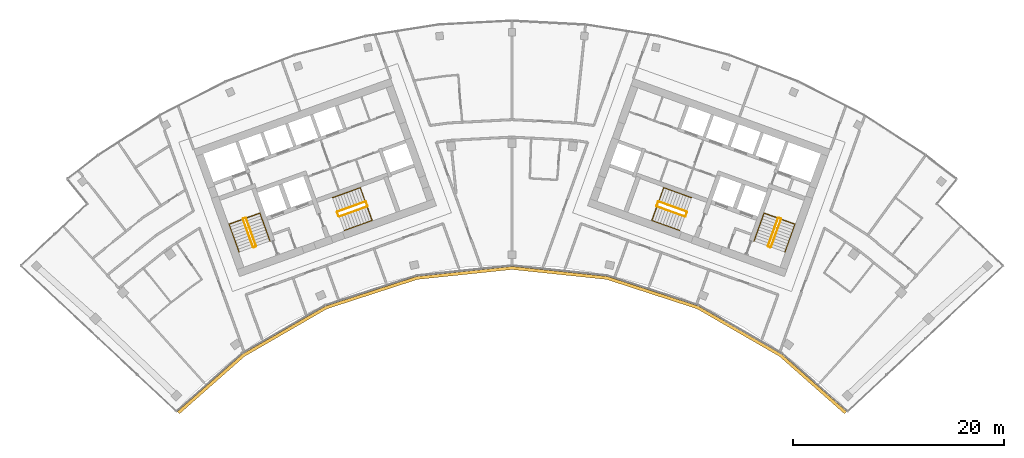
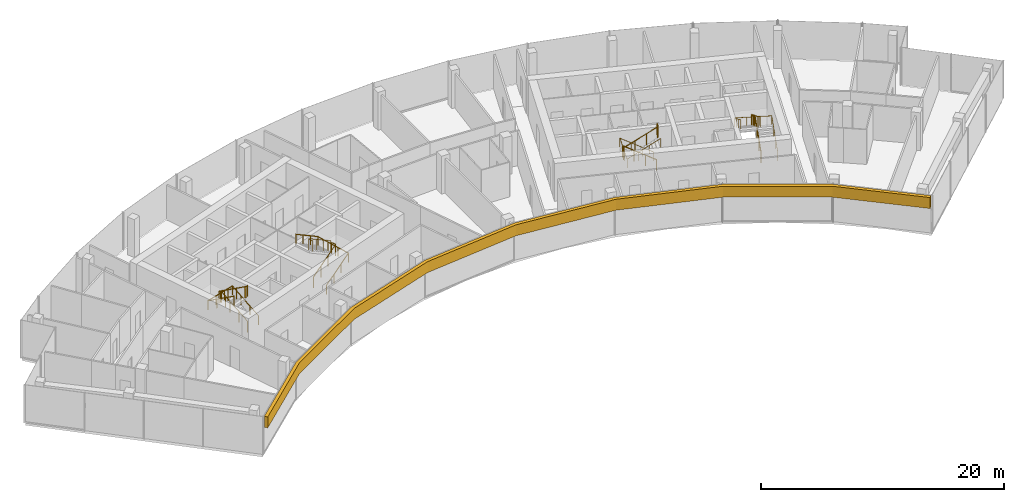
# One storey, part 18 of 18: 12 railings, 1 covering.
"""IFC4 building model written with IfcOpenShell, lengths in metres."""

from ifc_helpers import new_model, si_unit, direction, frame, origin, origin_2d, place, context, subcontext, project, spatial, polyline, circle, outline, extrude, material, layer, layer_set, type_object, element, save


model = new_model("IFC4")

# Units and contexts
model_context = context("Model", 3, precision=1e-05, world=origin(), true_north=direction((0.0, 1.0)))
body_context = subcontext(model_context, "Body", "Model", "MODEL_VIEW")
ifc_project = project(units=[si_unit("LENGTHUNIT", "METRE"), si_unit("AREAUNIT", "SQUARE_METRE"), si_unit("VOLUMEUNIT", "CUBIC_METRE"), si_unit("PLANEANGLEUNIT", "RADIAN"), si_unit("MASSUNIT", "GRAM", prefix="KILO")], contexts=[model_context])

# Site, building, storey
site_placement = place(None, origin())
site = spatial("IfcSite", under=ifc_project, at=site_placement, CompositionType="ELEMENT")
building_placement = place(site_placement, origin())
building = spatial("IfcBuilding", under=site, at=building_placement, Name="Stone Belt Terrace Tower", CompositionType="ELEMENT")
storey_placement = place(building_placement, frame((0.0, 0.0, 296.0)))
storey = spatial("IfcBuildingStorey", under=building, at=storey_placement, Name="L72", CompositionType="ELEMENT", Elevation=296.0)

# Railings
ifc_material_1 = material(Name="Structural steel C345", Category="steel")
railing_type_1 = type_object("IfcRailingType", Name="Stair guard 1100", PredefinedType="GUARDRAIL", material=ifc_material_1)
railing_1_placement = place(storey_placement, frame((-24.2119140625, 45.276123046875, 0.172607421875)))
element("IfcRailing", 1, at=railing_1_placement, inside=storey, type_object=railing_type_1, Name="L72 ST1A stair guard 1", PredefinedType="GUARDRAIL", context=body_context, shape_type="SweptSolid", body=[
    extrude(circle(Radius=0.02392578125, at=origin_2d()), frame((0.0, 0.0, 1.076171875), z_axis=(-0.288228637646, 0.800791768495, 0.525030280985), x_axis=(-0.940908529223, -0.338660803216, 0.0)), (0.0, 0.0, 1.0), 3.289794921875),
    extrude(circle(Radius=0.02392578125, at=origin_2d()), frame((-0.9482421875, 2.634521484375, 2.80322265625), z_axis=(-0.905209821074, 0.424964916, 0.0), x_axis=(-0.424964916, -0.905209821074, 0.0)), (0.0, 0.0, 1.0), 0.070556640625),
    extrude(circle(Radius=0.02392578125, at=origin_2d()), frame((-1.01220703125, 2.66455078125, 2.80322265625), z_axis=(-0.941105063269, -0.338114270461, 0.0), x_axis=(0.338114270461, -0.941105063269, 0.0)), (0.0, 0.0, 1.0), 0.199951171875),
    extrude(circle(Radius=0.02099609375, at=origin_2d()), origin(), (0.0, 0.0, 1.0), 1.052001953125),
    extrude(circle(Radius=0.02099609375, at=origin_2d()), frame((-0.316162109375, 0.878173828125, 0.57568359375)), (0.0, 0.0, 1.0), 1.052001953125),
    extrude(circle(Radius=0.02099609375, at=origin_2d()), frame((-0.632080078125, 1.75634765625, 1.151611328125)), (0.0, 0.0, 1.0), 1.052001953125),
    extrude(circle(Radius=0.02099609375, at=origin_2d()), frame((-0.9482421875, 2.634521484375, 1.727294921875)), (0.0, 0.0, 1.0), 1.052001953125),
    extrude(circle(Radius=0.02099609375, at=origin_2d()), frame((-1.01220703125, 2.66455078125, 1.727294921875)), (0.0, 0.0, 1.0), 1.052001953125),
    extrude(circle(Radius=0.02099609375, at=origin_2d()), frame((-1.200439453125, 2.596923828125, 1.727294921875)), (0.0, 0.0, 1.0), 1.052001953125),
])
railing_2_placement = place(storey_placement, frame((-25.4423828125, 47.80908203125, 2.07275390625)))
element("IfcRailing", 2, at=railing_2_placement, inside=storey, type_object=railing_type_1, Name="L72 ST1A stair guard 2", PredefinedType="GUARDRAIL", context=body_context, shape_type="SweptSolid", body=[
    extrude(circle(Radius=0.02392578125, at=origin_2d()), frame((0.0, 0.0, 1.076171875), z_axis=(0.288228637646, -0.800791768495, 0.525030280985), x_axis=(0.940908529223, 0.338660803216, 0.0)), (0.0, 0.0, 1.0), 3.289794921875),
    extrude(circle(Radius=0.02392578125, at=origin_2d()), frame((0.9482421875, -2.634521484375, 2.80322265625), z_axis=(0.903878284585, -0.427789722475, 0.0), x_axis=(0.427789722475, 0.903878284585, 0.0)), (0.0, 0.0, 1.0), 0.07080078125),
    extrude(circle(Radius=0.02392578125, at=origin_2d()), frame((1.01220703125, -2.664794921875, 2.80322265625), z_axis=(0.940575576748, 0.339584429008, 0.0), x_axis=(-0.339584429008, 0.940575576748, 0.0)), (0.0, 0.0, 1.0), 0.199951171875),
    extrude(circle(Radius=0.02099609375, at=origin_2d()), origin(), (0.0, 0.0, 1.0), 1.052001953125),
    extrude(circle(Radius=0.02099609375, at=origin_2d()), frame((0.316162109375, -0.878173828125, 0.57568359375)), (0.0, 0.0, 1.0), 1.052001953125),
    extrude(circle(Radius=0.02099609375, at=origin_2d()), frame((0.632080078125, -1.75634765625, 1.151611328125)), (0.0, 0.0, 1.0), 1.052001953125),
    extrude(circle(Radius=0.02099609375, at=origin_2d()), frame((0.9482421875, -2.634521484375, 1.727294921875)), (0.0, 0.0, 1.0), 1.052001953125),
    extrude(circle(Radius=0.02099609375, at=origin_2d()), frame((1.01220703125, -2.664794921875, 1.727294921875)), (0.0, 0.0, 1.0), 1.052001953125),
    extrude(circle(Radius=0.02099609375, at=origin_2d()), frame((1.2001953125, -2.596923828125, 1.727294921875)), (0.0, 0.0, 1.0), 1.052001953125),
])
railing_3_placement = place(storey_placement, frame((-16.33837890625, 48.056640625, 0.172607421875)))
element("IfcRailing", 3, at=railing_3_placement, inside=storey, type_object=railing_type_1, Name="L72 ST2A stair guard 1", PredefinedType="GUARDRAIL", context=body_context, shape_type="SweptSolid", body=[
    extrude(circle(Radius=0.02392578125, at=origin_2d()), frame((0.0, 0.0, 1.076171875), z_axis=(0.800808895155, 0.288160591223, 0.52504150989), x_axis=(-0.338583606334, 0.940936311087, 0.0)), (0.0, 0.0, 1.0), 3.289794921875),
    extrude(circle(Radius=0.02392578125, at=origin_2d()), frame((2.634521484375, 0.947998046875, 2.80322265625), z_axis=(0.427789722475, 0.903878284585, 0.0), x_axis=(-0.903878284585, 0.427789722475, 0.0)), (0.0, 0.0, 1.0), 0.07080078125),
    extrude(circle(Radius=0.02392578125, at=origin_2d()), frame((2.664794921875, 1.011962890625, 2.80322265625), z_axis=(-0.338654645739, 0.940910745459, 0.0), x_axis=(-0.940910745459, -0.338654645739, 0.0)), (0.0, 0.0, 1.0), 0.400146484375),
    extrude(circle(Radius=0.02099609375, at=origin_2d()), origin(), (0.0, 0.0, 1.0), 1.052001953125),
    extrude(circle(Radius=0.02099609375, at=origin_2d()), frame((0.878173828125, 0.31591796875, 0.57568359375)), (0.0, 0.0, 1.0), 1.052001953125),
    extrude(circle(Radius=0.02099609375, at=origin_2d()), frame((1.75634765625, 0.632080078125, 1.151611328125)), (0.0, 0.0, 1.0), 1.052001953125),
    extrude(circle(Radius=0.02099609375, at=origin_2d()), frame((2.634521484375, 0.947998046875, 1.727294921875)), (0.0, 0.0, 1.0), 1.052001953125),
    extrude(circle(Radius=0.02099609375, at=origin_2d()), frame((2.664794921875, 1.011962890625, 1.727294921875)), (0.0, 0.0, 1.0), 1.052001953125),
    extrude(circle(Radius=0.02099609375, at=origin_2d()), frame((2.529296875, 1.388427734375, 1.727294921875)), (0.0, 0.0, 1.0), 1.052001953125),
])
railing_4_placement = place(storey_placement, frame((-13.873046875, 49.47509765625, 2.07275390625)))
element("IfcRailing", 4, at=railing_4_placement, inside=storey, type_object=railing_type_1, Name="L72 ST2A stair guard 2", PredefinedType="GUARDRAIL", context=body_context, shape_type="SweptSolid", body=[
    extrude(circle(Radius=0.02392578125, at=origin_2d()), frame((0.0, 0.0, 1.076171875), z_axis=(-0.800808895155, -0.288160591223, 0.52504150989), x_axis=(0.338583606334, -0.940936311087, 0.0)), (0.0, 0.0, 1.0), 3.289794921875),
    extrude(circle(Radius=0.02392578125, at=origin_2d()), frame((-2.634521484375, -0.947998046875, 2.80322265625), z_axis=(-0.427789722475, -0.903878284585, 0.0), x_axis=(0.903878284585, -0.427789722475, 0.0)), (0.0, 0.0, 1.0), 0.07080078125),
    extrude(circle(Radius=0.02392578125, at=origin_2d()), frame((-2.664794921875, -1.011962890625, 2.80322265625), z_axis=(0.338654645739, -0.940910745459, 0.0), x_axis=(0.940910745459, 0.338654645739, 0.0)), (0.0, 0.0, 1.0), 0.400146484375),
    extrude(circle(Radius=0.02099609375, at=origin_2d()), origin(), (0.0, 0.0, 1.0), 1.052001953125),
    extrude(circle(Radius=0.02099609375, at=origin_2d()), frame((-0.878173828125, -0.31591796875, 0.57568359375)), (0.0, 0.0, 1.0), 1.052001953125),
    extrude(circle(Radius=0.02099609375, at=origin_2d()), frame((-1.75634765625, -0.632080078125, 1.151611328125)), (0.0, 0.0, 1.0), 1.052001953125),
    extrude(circle(Radius=0.02099609375, at=origin_2d()), frame((-2.634521484375, -0.947998046875, 1.727294921875)), (0.0, 0.0, 1.0), 1.052001953125),
    extrude(circle(Radius=0.02099609375, at=origin_2d()), frame((-2.664794921875, -1.011962890625, 1.727294921875)), (0.0, 0.0, 1.0), 1.052001953125),
    extrude(circle(Radius=0.02099609375, at=origin_2d()), frame((-2.529296875, -1.388427734375, 1.727294921875)), (0.0, 0.0, 1.0), 1.052001953125),
])
railing_5_placement = place(storey_placement, frame((24.494140625, 45.174560546875, 0.172607421875)))
element("IfcRailing", 5, at=railing_5_placement, inside=storey, type_object=railing_type_1, Name="L72 ST1B stair guard 1", PredefinedType="GUARDRAIL", context=body_context, shape_type="SweptSolid", body=[
    extrude(circle(Radius=0.02392578125, at=origin_2d()), frame((0.0, 0.0, 1.076171875), z_axis=(0.288228637646, 0.800791768495, 0.525030280985), x_axis=(-0.940908529223, 0.338660803216, 0.0)), (0.0, 0.0, 1.0), 3.289794921875),
    extrude(circle(Radius=0.02392578125, at=origin_2d()), frame((0.9482421875, 2.634521484375, 2.80322265625), z_axis=(-0.424964916, 0.905209821074, 0.0), x_axis=(-0.905209821074, -0.424964916, 0.0)), (0.0, 0.0, 1.0), 0.070556640625),
    extrude(circle(Radius=0.02392578125, at=origin_2d()), frame((0.918212890625, 2.698486328125, 2.80322265625), z_axis=(-0.941105063269, 0.338114270461, 0.0), x_axis=(-0.338114270461, -0.941105063269, 0.0)), (0.0, 0.0, 1.0), 0.199951171875),
    extrude(circle(Radius=0.02099609375, at=origin_2d()), origin(), (0.0, 0.0, 1.0), 1.052001953125),
    extrude(circle(Radius=0.02099609375, at=origin_2d()), frame((0.316162109375, 0.878173828125, 0.57568359375)), (0.0, 0.0, 1.0), 1.052001953125),
    extrude(circle(Radius=0.02099609375, at=origin_2d()), frame((0.632080078125, 1.75634765625, 1.151611328125)), (0.0, 0.0, 1.0), 1.052001953125),
    extrude(circle(Radius=0.02099609375, at=origin_2d()), frame((0.9482421875, 2.634521484375, 1.727294921875)), (0.0, 0.0, 1.0), 1.052001953125),
    extrude(circle(Radius=0.02099609375, at=origin_2d()), frame((0.918212890625, 2.698486328125, 1.727294921875)), (0.0, 0.0, 1.0), 1.052001953125),
    extrude(circle(Radius=0.02099609375, at=origin_2d()), frame((0.72998046875, 2.76611328125, 1.727294921875)), (0.0, 0.0, 1.0), 1.052001953125),
])
railing_6_placement = place(storey_placement, frame((25.16015625, 47.91064453125, 2.07275390625)))
element("IfcRailing", 6, at=railing_6_placement, inside=storey, type_object=railing_type_1, Name="L72 ST1B stair guard 2", PredefinedType="GUARDRAIL", context=body_context, shape_type="SweptSolid", body=[
    extrude(circle(Radius=0.02392578125, at=origin_2d()), frame((0.0, 0.0, 1.076171875), z_axis=(-0.288228637646, -0.800791768495, 0.525030280985), x_axis=(0.940908529223, -0.338660803216, 0.0)), (0.0, 0.0, 1.0), 3.289794921875),
    extrude(circle(Radius=0.02392578125, at=origin_2d()), frame((-0.9482421875, -2.634521484375, 2.80322265625), z_axis=(0.427789722475, -0.903878284585, 0.0), x_axis=(0.903878284585, 0.427789722475, 0.0)), (0.0, 0.0, 1.0), 0.07080078125),
    extrude(circle(Radius=0.02392578125, at=origin_2d()), frame((-0.91796875, -2.698486328125, 2.80322265625), z_axis=(0.940575576748, -0.339584429008, 0.0), x_axis=(0.339584429008, 0.940575576748, 0.0)), (0.0, 0.0, 1.0), 0.199951171875),
    extrude(circle(Radius=0.02099609375, at=origin_2d()), origin(), (0.0, 0.0, 1.0), 1.052001953125),
    extrude(circle(Radius=0.02099609375, at=origin_2d()), frame((-0.316162109375, -0.878173828125, 0.57568359375)), (0.0, 0.0, 1.0), 1.052001953125),
    extrude(circle(Radius=0.02099609375, at=origin_2d()), frame((-0.632080078125, -1.75634765625, 1.151611328125)), (0.0, 0.0, 1.0), 1.052001953125),
    extrude(circle(Radius=0.02099609375, at=origin_2d()), frame((-0.9482421875, -2.634521484375, 1.727294921875)), (0.0, 0.0, 1.0), 1.052001953125),
    extrude(circle(Radius=0.02099609375, at=origin_2d()), frame((-0.91796875, -2.698486328125, 1.727294921875)), (0.0, 0.0, 1.0), 1.052001953125),
    extrude(circle(Radius=0.02099609375, at=origin_2d()), frame((-0.72998046875, -2.766357421875, 1.727294921875)), (0.0, 0.0, 1.0), 1.052001953125),
])
railing_7_placement = place(storey_placement, frame((16.507568359375, 48.527099609375, 0.172607421875)))
element("IfcRailing", 7, at=railing_7_placement, inside=storey, type_object=railing_type_1, Name="L72 ST2B stair guard 1", PredefinedType="GUARDRAIL", context=body_context, shape_type="SweptSolid", body=[
    extrude(circle(Radius=0.02392578125, at=origin_2d()), frame((0.0, 0.0, 1.076171875), z_axis=(-0.800808895155, 0.288160591223, 0.52504150989), x_axis=(-0.338583606334, -0.940936311087, 0.0)), (0.0, 0.0, 1.0), 3.289794921875),
    extrude(circle(Radius=0.02392578125, at=origin_2d()), frame((-2.634521484375, 0.947998046875, 2.80322265625), z_axis=(-0.905209821074, -0.424964916, 0.0), x_axis=(0.424964916, -0.905209821074, 0.0)), (0.0, 0.0, 1.0), 0.070556640625),
    extrude(circle(Radius=0.02392578125, at=origin_2d()), frame((-2.698486328125, 0.91796875, 2.80322265625), z_axis=(-0.338654645739, -0.940910745459, 0.0), x_axis=(0.940910745459, -0.338654645739, 0.0)), (0.0, 0.0, 1.0), 0.400146484375),
    extrude(circle(Radius=0.02099609375, at=origin_2d()), origin(), (0.0, 0.0, 1.0), 1.052001953125),
    extrude(circle(Radius=0.02099609375, at=origin_2d()), frame((-0.878173828125, 0.31591796875, 0.57568359375)), (0.0, 0.0, 1.0), 1.052001953125),
    extrude(circle(Radius=0.02099609375, at=origin_2d()), frame((-1.75634765625, 0.632080078125, 1.151611328125)), (0.0, 0.0, 1.0), 1.052001953125),
    extrude(circle(Radius=0.02099609375, at=origin_2d()), frame((-2.634521484375, 0.947998046875, 1.727294921875)), (0.0, 0.0, 1.0), 1.052001953125),
    extrude(circle(Radius=0.02099609375, at=origin_2d()), frame((-2.698486328125, 0.91796875, 1.727294921875)), (0.0, 0.0, 1.0), 1.052001953125),
    extrude(circle(Radius=0.02099609375, at=origin_2d()), frame((-2.833984375, 0.54150390625, 1.727294921875)), (0.0, 0.0, 1.0), 1.052001953125),
])
railing_8_placement = place(storey_placement, frame((13.703857421875, 49.004638671875, 2.07275390625)))
element("IfcRailing", 8, at=railing_8_placement, inside=storey, type_object=railing_type_1, Name="L72 ST2B stair guard 2", PredefinedType="GUARDRAIL", context=body_context, shape_type="SweptSolid", body=[
    extrude(circle(Radius=0.02392578125, at=origin_2d()), frame((0.0, 0.0, 1.076171875), z_axis=(0.800808895155, -0.288160591223, 0.52504150989), x_axis=(0.338583606334, 0.940936311087, 0.0)), (0.0, 0.0, 1.0), 3.289794921875),
    extrude(circle(Radius=0.02392578125, at=origin_2d()), frame((2.634521484375, -0.947998046875, 2.80322265625), z_axis=(0.905209821074, 0.424964916, 0.0), x_axis=(-0.424964916, 0.905209821074, 0.0)), (0.0, 0.0, 1.0), 0.070556640625),
    extrude(circle(Radius=0.02392578125, at=origin_2d()), frame((2.698486328125, -0.91796875, 2.80322265625), z_axis=(0.338654645739, 0.940910745459, 0.0), x_axis=(-0.940910745459, 0.338654645739, 0.0)), (0.0, 0.0, 1.0), 0.400146484375),
    extrude(circle(Radius=0.02099609375, at=origin_2d()), origin(), (0.0, 0.0, 1.0), 1.052001953125),
    extrude(circle(Radius=0.02099609375, at=origin_2d()), frame((0.878173828125, -0.31591796875, 0.57568359375)), (0.0, 0.0, 1.0), 1.052001953125),
    extrude(circle(Radius=0.02099609375, at=origin_2d()), frame((1.75634765625, -0.632080078125, 1.151611328125)), (0.0, 0.0, 1.0), 1.052001953125),
    extrude(circle(Radius=0.02099609375, at=origin_2d()), frame((2.634521484375, -0.947998046875, 1.727294921875)), (0.0, 0.0, 1.0), 1.052001953125),
    extrude(circle(Radius=0.02099609375, at=origin_2d()), frame((2.698486328125, -0.91796875, 1.727294921875)), (0.0, 0.0, 1.0), 1.052001953125),
    extrude(circle(Radius=0.02099609375, at=origin_2d()), frame((2.833984375, -0.54150390625, 1.727294921875)), (0.0, 0.0, 1.0), 1.052001953125),
])
railing_type_2 = type_object("IfcRailingType", Name="Stair handrail 900", PredefinedType="HANDRAIL", material=ifc_material_1)
railing_9_placement = place(storey_placement, frame((-22.894775390625, 45.750244140625, 0.172607421875)))
element("IfcRailing", 9, at=railing_9_placement, inside=storey, type_object=railing_type_2, Name="L72 ST1A stair handrail 1", PredefinedType="HANDRAIL", context=body_context, shape_type="SweptSolid", body=[
    extrude(circle(Radius=0.02392578125, at=origin_2d()), frame((0.0, 0.0, 0.8759765625), z_axis=(-0.288160591223, 0.800808895155, 0.52504150989), x_axis=(-0.940936311087, -0.338583606334, 0.0)), (0.0, 0.0, 1.0), 3.289794921875),
    extrude(circle(Radius=0.02392578125, at=origin_2d()), frame((-0.947998046875, 2.634521484375, 2.60302734375), z_axis=(-0.939460408074, -0.338105101667, 0.055669398135), x_axis=(0.338630230244, -0.940919532779, 0.0)), (0.0, 0.0, 1.0), 3.10498046875),
    extrude(circle(Radius=0.02392578125, at=origin_2d()), frame((-3.864990234375, 1.584716796875, 2.77587890625), z_axis=(0.288228637646, -0.800791768495, 0.525030280985), x_axis=(0.940908529223, 0.338660803216, 0.0)), (0.0, 0.0, 1.0), 3.289794921875),
    extrude(circle(Radius=0.02099609375, at=origin_2d()), origin(), (0.0, 0.0, 1.0), 0.851806640625),
    extrude(circle(Radius=0.02099609375, at=origin_2d()), frame((-0.31591796875, 0.878173828125, 0.57568359375)), (0.0, 0.0, 1.0), 0.851806640625),
    extrude(circle(Radius=0.02099609375, at=origin_2d()), frame((-0.632080078125, 1.75634765625, 1.151611328125)), (0.0, 0.0, 1.0), 0.851806640625),
    extrude(circle(Radius=0.02099609375, at=origin_2d()), frame((-0.947998046875, 2.634521484375, 1.727294921875)), (0.0, 0.0, 1.0), 0.851806640625),
    extrude(circle(Radius=0.02099609375, at=origin_2d()), frame((-1.92041015625, 2.28466796875, 1.784912109375)), (0.0, 0.0, 1.0), 0.851806640625),
    extrude(circle(Radius=0.02099609375, at=origin_2d()), frame((-2.892578125, 1.9345703125, 1.842529296875)), (0.0, 0.0, 1.0), 0.851806640625),
    extrude(circle(Radius=0.02099609375, at=origin_2d()), frame((-3.864990234375, 1.584716796875, 1.900146484375)), (0.0, 0.0, 1.0), 0.851806640625),
    extrude(circle(Radius=0.02099609375, at=origin_2d()), frame((-3.548828125, 0.70654296875, 2.475830078125)), (0.0, 0.0, 1.0), 0.851806640625),
    extrude(circle(Radius=0.02099609375, at=origin_2d()), frame((-3.23291015625, -0.171630859375, 3.0517578125)), (0.0, 0.0, 1.0), 0.851806640625),
    extrude(circle(Radius=0.02099609375, at=origin_2d()), frame((-2.916748046875, -1.0498046875, 3.62744140625)), (0.0, 0.0, 1.0), 0.851806640625),
])
railing_10_placement = place(storey_placement, frame((-15.8642578125, 46.7392578125, 0.172607421875)))
element("IfcRailing", 10, at=railing_10_placement, inside=storey, type_object=railing_type_2, Name="L72 ST2A stair handrail 1", PredefinedType="HANDRAIL", context=body_context, shape_type="SweptSolid", body=[
    extrude(circle(Radius=0.02392578125, at=origin_2d()), frame((0.0, 0.0, 0.8759765625), z_axis=(0.800791768495, 0.288228637646, 0.525030280985), x_axis=(-0.338660803216, 0.940908529223, 0.0)), (0.0, 0.0, 1.0), 3.289794921875),
    extrude(circle(Radius=0.02392578125, at=origin_2d()), frame((2.634521484375, 0.9482421875, 2.60302734375), z_axis=(-0.338158948057, 0.939634149308, 0.052308615955), x_axis=(-0.940922302781, -0.338622533404, 0.0)), (0.0, 0.0, 1.0), 3.304443359375),
    extrude(circle(Radius=0.02392578125, at=origin_2d()), frame((1.51708984375, 4.05322265625, 2.77587890625), z_axis=(-0.800791768495, -0.288228637646, 0.525030280985), x_axis=(0.338660803216, -0.940908529223, 0.0)), (0.0, 0.0, 1.0), 3.289794921875),
    extrude(circle(Radius=0.02099609375, at=origin_2d()), origin(), (0.0, 0.0, 1.0), 0.851806640625),
    extrude(circle(Radius=0.02099609375, at=origin_2d()), frame((0.878173828125, 0.316162109375, 0.57568359375)), (0.0, 0.0, 1.0), 0.851806640625),
    extrude(circle(Radius=0.02099609375, at=origin_2d()), frame((1.75634765625, 0.632080078125, 1.151611328125)), (0.0, 0.0, 1.0), 0.851806640625),
    extrude(circle(Radius=0.02099609375, at=origin_2d()), frame((2.634521484375, 0.9482421875, 1.727294921875)), (0.0, 0.0, 1.0), 0.851806640625),
    extrude(circle(Radius=0.02099609375, at=origin_2d()), frame((2.261962890625, 1.983154296875, 1.784912109375)), (0.0, 0.0, 1.0), 0.851806640625),
    extrude(circle(Radius=0.02099609375, at=origin_2d()), frame((1.8896484375, 3.018310546875, 1.842529296875)), (0.0, 0.0, 1.0), 0.851806640625),
    extrude(circle(Radius=0.02099609375, at=origin_2d()), frame((1.51708984375, 4.05322265625, 1.900146484375)), (0.0, 0.0, 1.0), 0.851806640625),
    extrude(circle(Radius=0.02099609375, at=origin_2d()), frame((0.638916015625, 3.737060546875, 2.475830078125)), (0.0, 0.0, 1.0), 0.851806640625),
    extrude(circle(Radius=0.02099609375, at=origin_2d()), frame((-0.2392578125, 3.421142578125, 3.0517578125)), (0.0, 0.0, 1.0), 0.851806640625),
    extrude(circle(Radius=0.02099609375, at=origin_2d()), frame((-1.117431640625, 3.10498046875, 3.62744140625)), (0.0, 0.0, 1.0), 0.851806640625),
])
railing_11_placement = place(storey_placement, frame((25.8115234375, 44.700439453125, 0.172607421875)))
element("IfcRailing", 11, at=railing_11_placement, inside=storey, type_object=railing_type_2, Name="L72 ST1B stair handrail 1", PredefinedType="HANDRAIL", context=body_context, shape_type="SweptSolid", body=[
    extrude(circle(Radius=0.02392578125, at=origin_2d()), frame((0.0, 0.0, 0.8759765625), z_axis=(0.288228637646, 0.800791768495, 0.525030280985), x_axis=(-0.940908529223, 0.338660803216, 0.0)), (0.0, 0.0, 1.0), 3.289794921875),
    extrude(circle(Radius=0.02392578125, at=origin_2d()), frame((0.9482421875, 2.634521484375, 2.60302734375), z_axis=(-0.939460408074, 0.338105101667, 0.055669398135), x_axis=(-0.338630230244, -0.940919532779, 0.0)), (0.0, 0.0, 1.0), 3.10498046875),
    extrude(circle(Radius=0.02392578125, at=origin_2d()), frame((-1.96875, 3.684326171875, 2.77587890625), z_axis=(-0.288160591223, -0.800808895155, 0.52504150989), x_axis=(0.940936311087, -0.338583606334, 0.0)), (0.0, 0.0, 1.0), 3.289794921875),
    extrude(circle(Radius=0.02099609375, at=origin_2d()), origin(), (0.0, 0.0, 1.0), 0.851806640625),
    extrude(circle(Radius=0.02099609375, at=origin_2d()), frame((0.316162109375, 0.878173828125, 0.57568359375)), (0.0, 0.0, 1.0), 0.851806640625),
    extrude(circle(Radius=0.02099609375, at=origin_2d()), frame((0.632080078125, 1.75634765625, 1.151611328125)), (0.0, 0.0, 1.0), 0.851806640625),
    extrude(circle(Radius=0.02099609375, at=origin_2d()), frame((0.9482421875, 2.634521484375, 1.727294921875)), (0.0, 0.0, 1.0), 0.851806640625),
    extrude(circle(Radius=0.02099609375, at=origin_2d()), frame((-0.024169921875, 2.984375, 1.784912109375)), (0.0, 0.0, 1.0), 0.851806640625),
    extrude(circle(Radius=0.02099609375, at=origin_2d()), frame((-0.996337890625, 3.33447265625, 1.842529296875)), (0.0, 0.0, 1.0), 0.851806640625),
    extrude(circle(Radius=0.02099609375, at=origin_2d()), frame((-1.96875, 3.684326171875, 1.900146484375)), (0.0, 0.0, 1.0), 0.851806640625),
    extrude(circle(Radius=0.02099609375, at=origin_2d()), frame((-2.28466796875, 2.80615234375, 2.475830078125)), (0.0, 0.0, 1.0), 0.851806640625),
    extrude(circle(Radius=0.02099609375, at=origin_2d()), frame((-2.600830078125, 1.927978515625, 3.0517578125)), (0.0, 0.0, 1.0), 0.851806640625),
    extrude(circle(Radius=0.02099609375, at=origin_2d()), frame((-2.916748046875, 1.0498046875, 3.62744140625)), (0.0, 0.0, 1.0), 0.851806640625),
])
railing_12_placement = place(storey_placement, frame((16.981689453125, 49.84423828125, 0.172607421875)))
element("IfcRailing", 12, at=railing_12_placement, inside=storey, type_object=railing_type_2, Name="L72 ST2B stair handrail 1", PredefinedType="HANDRAIL", context=body_context, shape_type="SweptSolid", body=[
    extrude(circle(Radius=0.02392578125, at=origin_2d()), frame((0.0, 0.0, 0.8759765625), z_axis=(-0.800791768495, 0.288228637646, 0.525030280985), x_axis=(-0.338660803216, -0.940908529223, 0.0)), (0.0, 0.0, 1.0), 3.289794921875),
    extrude(circle(Radius=0.02392578125, at=origin_2d()), frame((-2.634521484375, 0.9482421875, 2.60302734375), z_axis=(-0.338158948057, -0.939634149308, 0.052308615955), x_axis=(0.940922302781, -0.338622533404, 0.0)), (0.0, 0.0, 1.0), 3.304443359375),
    extrude(circle(Radius=0.02392578125, at=origin_2d()), frame((-3.751953125, -2.15673828125, 2.77587890625), z_axis=(0.800791768495, -0.288228637646, 0.525030280985), x_axis=(0.338660803216, 0.940908529223, 0.0)), (0.0, 0.0, 1.0), 3.289794921875),
    extrude(circle(Radius=0.02099609375, at=origin_2d()), origin(), (0.0, 0.0, 1.0), 0.851806640625),
    extrude(circle(Radius=0.02099609375, at=origin_2d()), frame((-0.878173828125, 0.316162109375, 0.57568359375)), (0.0, 0.0, 1.0), 0.851806640625),
    extrude(circle(Radius=0.02099609375, at=origin_2d()), frame((-1.75634765625, 0.632080078125, 1.151611328125)), (0.0, 0.0, 1.0), 0.851806640625),
    extrude(circle(Radius=0.02099609375, at=origin_2d()), frame((-2.634521484375, 0.9482421875, 1.727294921875)), (0.0, 0.0, 1.0), 0.851806640625),
    extrude(circle(Radius=0.02099609375, at=origin_2d()), frame((-3.007080078125, -0.086669921875, 1.784912109375)), (0.0, 0.0, 1.0), 0.851806640625),
    extrude(circle(Radius=0.02099609375, at=origin_2d()), frame((-3.37939453125, -1.121826171875, 1.842529296875)), (0.0, 0.0, 1.0), 0.851806640625),
    extrude(circle(Radius=0.02099609375, at=origin_2d()), frame((-3.751953125, -2.15673828125, 1.900146484375)), (0.0, 0.0, 1.0), 0.851806640625),
    extrude(circle(Radius=0.02099609375, at=origin_2d()), frame((-2.873779296875, -2.472900390625, 2.475830078125)), (0.0, 0.0, 1.0), 0.851806640625),
    extrude(circle(Radius=0.02099609375, at=origin_2d()), frame((-1.99560546875, -2.788818359375, 3.0517578125)), (0.0, 0.0, 1.0), 0.851806640625),
    extrude(circle(Radius=0.02099609375, at=origin_2d()), frame((-1.117431640625, -3.10498046875, 3.62744140625)), (0.0, 0.0, 1.0), 0.851806640625),
])

# Covering
ifc_material_2 = material(Name="Terracotta coloured glazed ceramic", Category="masonry")
ifc_layer = layer(ifc_material_2, 0.300048828125)
ifc_layer_set = layer_set([ifc_layer], Name="Terracotta spandrel band 300 x 1100")
covering_type = type_object("IfcCoveringType", Name="Terracotta spandrel band 300 x 1100", PredefinedType="CLADDING", material=ifc_layer_set)
covering_placement = place(storey_placement, frame((0.0, 0.0, 2.699951171875)))
element("IfcCovering", 13, at=covering_placement, inside=storey, type_object=covering_type, Name="BAND L72", PredefinedType="CLADDING", context=body_context, shape_type="SweptSolid", body=[
    extrude(outline(polyline([(-31.651611328125, 29.6220703125), (-25.480712890625, 35.06982421875), (-17.631591796875, 39.6015625), (-9.0126953125, 42.40185546875), (0.0, 43.34912109375), (9.0126953125, 42.40185546875), (17.631591796875, 39.6015625), (25.480712890625, 35.06982421875), (31.651611328125, 29.6220703125), (31.453125, 29.39697265625), (25.3046875, 34.824951171875), (17.509033203125, 39.325927734375), (8.9501953125, 42.10693359375), (0.0, 43.047607421875), (-8.9501953125, 42.10693359375), (-17.509033203125, 39.325927734375), (-25.3046875, 34.824951171875), (-31.453125, 29.39697265625), (-31.651611328125, 29.6220703125)])), origin(), (0.0, 0.0, 1.0), 1.10009765625),
])

save(model, "model.ifc")
